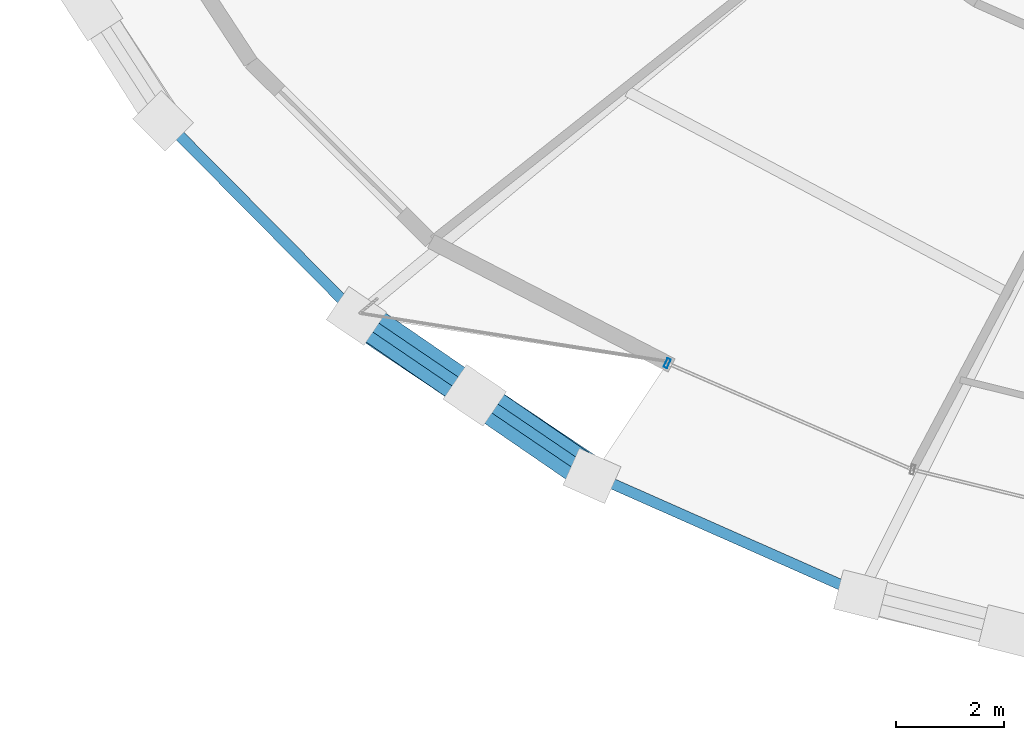
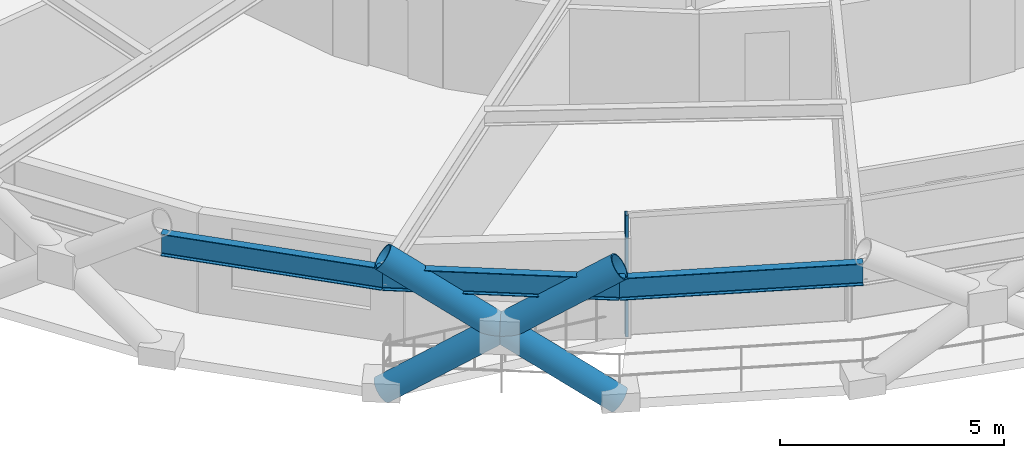
# One storey, part 1 of 23: 4 members, 3 beams, 1 element without a shape of its own.
"""IFC4 building model written with IfcOpenShell, lengths in metres."""

import ifcopenshell
import ifcopenshell.guid

model = None  # the IFC model being written
_history = None  # IfcOwnerHistory: only IFC2X3 demands one
_inside = {}  # id of a spatial element -> (the spatial element, [elements in it])
_under = {}  # id of a project, library or spatial element -> (it, [spatial elements below it])
_declared = {}  # id of a project -> (the project, [libraries it declares])
_typed = {}  # id of a type object -> (the type object, [elements of that type])
_made_of = {}  # id of a material, layer set ... -> (it, [elements and type objects made of it])


def new_model(schema):
    """Start an empty IFC model of exactly this schema.

    Asked for "IFC4X3", IfcOpenShell would pick the latest addendum, in which some entities
    have other attributes; the version numbers below select the first issue.
    IFC2X3 requires an IfcOwnerHistory on every rooted entity: one is made here for all.
    """
    global model, _history
    if schema == "IFC4X3":
        model = ifcopenshell.file(schema_version=(4, 3, 0, 0))
    else:
        model = ifcopenshell.file(schema=schema)
    _inside.clear()
    _under.clear()
    _declared.clear()
    _typed.clear()
    _made_of.clear()
    _history = None
    if model.schema == "IFC2X3":
        org = make("IfcOrganization", Name="unknown")
        user = make(
            "IfcPersonAndOrganization",
            ThePerson=make("IfcPerson", FamilyName="unknown"),
            TheOrganization=org,
        )
        app = make(
            "IfcApplication",
            ApplicationDeveloper=org,
            Version="unknown",
            ApplicationFullName="unknown",
            ApplicationIdentifier="unknown",
        )
        _history = make(
            "IfcOwnerHistory",
            OwningUser=user,
            OwningApplication=app,
            ChangeAction="ADDED",
            CreationDate=0,
        )
    return model


def make(cls, **values):
    """One entity of the class cls with the attributes given. An attribute that is None is left unset."""
    return model.create_entity(
        cls, **{name: value for name, value in values.items() if value is not None}
    )


def rooted(cls, **values):
    """An entity with a GlobalId (a new one), such as an element, a storey or a relation."""
    return make(cls, GlobalId=ifcopenshell.guid.new(), OwnerHistory=_history, **values)


def si_unit(unit_type, name, prefix=None):
    """IfcSIUnit, for example si_unit("LENGTHUNIT", "METRE", prefix="MILLI")."""
    return make("IfcSIUnit", UnitType=unit_type, Prefix=prefix, Name=name)


def assignment(units):
    """IfcUnitAssignment: the units of a project."""
    return None if units is None else make("IfcUnitAssignment", Units=units)


def point(xyz):
    """IfcCartesianPoint."""
    return None if xyz is None else make("IfcCartesianPoint", Coordinates=xyz)


def direction(xyz):
    """IfcDirection."""
    return None if xyz is None else make("IfcDirection", DirectionRatios=xyz)


def frame(location, z_axis=None, x_axis=None):
    """IfcAxis2Placement3D, a coordinate frame: its origin and axes. An axis left out is left unset."""
    return make(
        "IfcAxis2Placement3D",
        Location=point(location),
        Axis=direction(z_axis),
        RefDirection=direction(x_axis),
    )


def frame_2d(location, x_axis=None):
    """IfcAxis2Placement2D, a coordinate frame in the plane: its origin and x axis."""
    return make(
        "IfcAxis2Placement2D", Location=point(location), RefDirection=direction(x_axis)
    )


def origin():
    """The frame at (0, 0, 0) with its axes left unset."""
    return frame((0.0, 0.0, 0.0))


def origin_2d():
    """The frame at (0, 0) in the plane with its x axis left unset."""
    return frame_2d((0.0, 0.0))


def place(relative_to, where):
    """IfcLocalPlacement: puts the frame where relative to a parent placement (None: the world)."""
    return make(
        "IfcLocalPlacement", PlacementRelTo=relative_to, RelativePlacement=where
    )


def context(
    kind, dimensions, precision=None, world=None, true_north=None, identifier=None
):
    """IfcGeometricRepresentationContext, for example the 3D "Model" context."""
    return make(
        "IfcGeometricRepresentationContext",
        ContextIdentifier=identifier,
        ContextType=kind,
        CoordinateSpaceDimension=dimensions,
        Precision=precision,
        WorldCoordinateSystem=world,
        TrueNorth=true_north,
    )


def subcontext(parent, identifier, kind, view, scale=None):
    """IfcGeometricRepresentationSubContext, for example "Body" below "Model"."""
    return make(
        "IfcGeometricRepresentationSubContext",
        ContextIdentifier=identifier,
        ContextType=kind,
        ParentContext=parent,
        TargetScale=scale,
        TargetView=view,
    )


def project(units=None, contexts=None):
    """IfcProject with its units and contexts."""
    return rooted(
        "IfcProject",
        Name="project",
        RepresentationContexts=contexts,
        UnitsInContext=assignment(units),
    )


def spatial(cls, under=None, at=None, **own):
    """A site, building, storey or space (cls), placed at a placement, below another one or the project."""
    s = rooted(cls, ObjectPlacement=at, **own)
    if under is not None:
        _under.setdefault(under.id(), (under, []))[1].append(s)
    return s


def profile(cls, at=None, kind="AREA", **sizes):
    """A parametric profile (cls). Its sizes go by their IFC names, for example OverallWidth=200.0."""
    return make(cls, ProfileType=kind, Position=at, **sizes)


def hollow_rectangle(**sizes):
    """IfcRectangleHollowProfileDef."""
    return profile("IfcRectangleHollowProfileDef", **sizes)


def hollow_circle(**sizes):
    """IfcCircleHollowProfileDef."""
    return profile("IfcCircleHollowProfileDef", **sizes)


def i_section(**sizes):
    """IfcIShapeProfileDef."""
    return profile("IfcIShapeProfileDef", **sizes)


def extrude(swept, where, along, depth):
    """IfcExtrudedAreaSolid: the profile swept, set in the frame where, extruded along a direction by depth."""
    return make(
        "IfcExtrudedAreaSolid",
        SweptArea=swept,
        Position=where,
        ExtrudedDirection=direction(along),
        Depth=depth,
    )


def shape(context_of_items, identifier, shape_type, items):
    """IfcShapeRepresentation: the items that make up one representation, for example the "Body"."""
    return make(
        "IfcShapeRepresentation",
        ContextOfItems=context_of_items,
        RepresentationIdentifier=identifier,
        RepresentationType=shape_type,
        Items=items,
    )


def material(Name=None, Category=None):
    """IfcMaterial."""
    return make("IfcMaterial", Name=Name, Category=Category)


def layer(
    of_material, thickness, ventilated=None, Name=None, Category=None, Priority=None
):
    """IfcMaterialLayer: one layer of a wall or slab, of a material (None: an air gap)."""
    return make(
        "IfcMaterialLayer",
        Material=of_material,
        LayerThickness=thickness,
        IsVentilated=ventilated,
        Name=Name,
        Category=Category,
        Priority=Priority,
    )


def layer_set(layers, Name=None):
    """IfcMaterialLayerSet."""
    return make("IfcMaterialLayerSet", MaterialLayers=layers, LayerSetName=Name)


def material_profile(
    of_material, cross_section, Name=None, Category=None, Priority=None
):
    """IfcMaterialProfile: a cross section and its material."""
    return make(
        "IfcMaterialProfile",
        Name=Name,
        Material=of_material,
        Profile=cross_section,
        Priority=Priority,
        Category=Category,
    )


def profile_set(profiles, Name=None, composite=None):
    """IfcMaterialProfileSet."""
    return make(
        "IfcMaterialProfileSet",
        Name=Name,
        MaterialProfiles=profiles,
        CompositeProfile=composite,
    )


def made_of(thing, what):
    """Note that an element or type object is made of a material, layer set ...; save() writes the relation."""
    if what is not None:
        _made_of.setdefault(what.id(), (what, []))[1].append(thing)
    return thing


def type_object(cls, material=None, **own):
    """A type object (cls), such as IfcWallType, which elements share."""
    return made_of(rooted(cls, **own), material)


def element(
    cls,
    number,
    at=None,
    inside=None,
    cuts=None,
    type_object=None,
    material=None,
    context=None,
    identifier="Body",
    shape_type=None,
    held_by="IfcProductDefinitionShape",
    body=None,
    shapes=None,
    **own,
):
    """One element of the class cls, such as IfcWall. Its Tag is "e" and its number.

    at: its placement. inside: the storey or other place that contains it. cuts: it is an
    opening in that element (IfcRelVoidsElement). A single representation is given by context,
    identifier, shape_type and body (its items); several are given by shapes. held_by: the class
    of the entity that holds the representations. save() writes the other relations.
    """
    e = rooted(cls, Tag="e%d" % number, ObjectPlacement=at, **own)
    if body is not None:
        shapes = [shape(context, identifier, shape_type, body)]
    if shapes is not None:
        e.Representation = make(held_by, Representations=shapes)
    if inside is not None:
        _inside.setdefault(inside.id(), (inside, []))[1].append(e)
    if cuts is not None:
        rooted(
            "IfcRelVoidsElement", RelatingBuildingElement=cuts, RelatedOpeningElement=e
        )
    if type_object is not None:
        _typed.setdefault(type_object.id(), (type_object, []))[1].append(e)
    return made_of(e, material)


def aggregate(whole, parts):
    """IfcRelAggregates: a whole, such as a stair, and the parts it consists of."""
    return rooted("IfcRelAggregates", RelatingObject=whole, RelatedObjects=parts)


def save(model, path):
    """Write the relations noted so far, then the file.

    IfcRelAggregates (storeys below a building ...), IfcRelContainedInSpatialStructure (elements
    in a storey), IfcRelDefinesByType, IfcRelAssociatesMaterial and IfcRelDeclares: one each for
    every whole, place, type object, material and project.
    """
    for whole, parts in _under.values():
        aggregate(whole, parts)
    for where, things in _inside.values():
        rooted(
            "IfcRelContainedInSpatialStructure",
            RelatedElements=things,
            RelatingStructure=where,
        )
    for kind, things in _typed.values():
        rooted("IfcRelDefinesByType", RelatedObjects=things, RelatingType=kind)
    for what, things in _made_of.values():
        rooted("IfcRelAssociatesMaterial", RelatedObjects=things, RelatingMaterial=what)
    for by, libraries in _declared.values():
        rooted("IfcRelDeclares", RelatingContext=by, RelatedDefinitions=libraries)
    model.write(path)


model = new_model("IFC4")

# Units and contexts
model_context = context("Model", 3, precision=1e-05, world=origin(), true_north=direction((0.0, 1.0)))
body_context = subcontext(model_context, "Body", "Model", "MODEL_VIEW")
ifc_project = project(units=[si_unit("LENGTHUNIT", "METRE"), si_unit("AREAUNIT", "SQUARE_METRE"), si_unit("VOLUMEUNIT", "CUBIC_METRE"), si_unit("PLANEANGLEUNIT", "RADIAN"), si_unit("MASSUNIT", "GRAM", prefix="KILO")], contexts=[model_context])

# Site, building, storey
site_placement = place(None, origin())
site = spatial("IfcSite", under=ifc_project, at=site_placement, CompositionType="ELEMENT")
building_placement = place(site_placement, origin())
building = spatial("IfcBuilding", under=site, at=building_placement, Name="Veldorina Hangang Commons", CompositionType="ELEMENT")
storey_placement = place(building_placement, frame((0.0, 0.0, 95.199951171875)))
storey = spatial("IfcBuildingStorey", under=building, at=storey_placement, Name="L24", CompositionType="ELEMENT", Elevation=95.199951171875)

# Beams
ifc_material_1 = material(Name="Steel SM420-TMC", Category="steel")
ifc_material_profile_1 = material_profile(ifc_material_1, i_section(OverallWidth=0.199951171875, OverallDepth=0.60009765625, WebThickness=0.010986328125, FlangeThickness=0.01708984375, FilletRadius=0.01806640625, at=origin_2d()), Name="H-600x200x11x17")
ifc_profile_set_1 = profile_set([ifc_material_profile_1], Name="Steel SM420-TMC")
beam_type = type_object("IfcBeamType", Name="BM-RB600", PredefinedType="BEAM", material=ifc_profile_set_1)
beam_1_placement = place(storey_placement, frame((8.00341796875, 10.720703125, 3.0400390625), z_axis=(0.703891727572, -0.7103072827, 0.0), x_axis=(0.7103072827, 0.703891727572, 0.0)))
element("IfcBeam", 1, at=beam_1_placement, inside=storey, type_object=beam_type, Name="L24 perimeter hoop ring beam 19", PredefinedType="BEAM", context=body_context, shape_type="SweptSolid", body=[
    extrude(i_section(OverallWidth=0.199951171875, OverallDepth=0.60009765625, WebThickness=0.010986328125, FlangeThickness=0.01708984375, FilletRadius=0.01806640625, at=origin_2d()), origin(), (0.0, 0.0, 1.0), 5.099365234375),
])
beam_2_placement = place(storey_placement, frame((11.5927734375, 7.0986328125, 3.0400390625), z_axis=(0.827030394099, -0.56215720865, 0.0), x_axis=(0.56215720865, 0.827030394099, 0.0)))
element("IfcBeam", 2, at=beam_2_placement, inside=storey, type_object=beam_type, Name="L24 perimeter hoop ring beam 20", PredefinedType="BEAM", context=body_context, shape_type="SweptSolid", body=[
    extrude(i_section(OverallWidth=0.199951171875, OverallDepth=0.60009765625, WebThickness=0.010986328125, FlangeThickness=0.01708984375, FilletRadius=0.01806640625, at=origin_2d()), origin(), (0.0, 0.0, 1.0), 5.287841796875),
])
beam_3_placement = place(storey_placement, frame((15.966064453125, 4.1259765625, 3.0400390625), z_axis=(0.914417530265, -0.404772257379, 0.0), x_axis=(0.404772257379, 0.914417530265, 0.0)))
element("IfcBeam", 3, at=beam_3_placement, inside=storey, type_object=beam_type, Name="L24 perimeter hoop ring beam 21", PredefinedType="BEAM", context=body_context, shape_type="SweptSolid", body=[
    extrude(i_section(OverallWidth=0.199951171875, OverallDepth=0.60009765625, WebThickness=0.010986328125, FlangeThickness=0.01708984375, FilletRadius=0.01806640625, at=origin_2d()), origin(), (0.0, 0.0, 1.0), 5.456787109375),
])

# Curtain wall, member
ifc_material_2 = material(Name="Glass Low-E Triple IGU", Category="glass")
ifc_layer = layer(ifc_material_2, 0.179931640625)
ifc_layer_set = layer_set([ifc_layer], Name="Glass Low-E Triple IGU")
curtain_wall_type = type_object("IfcCurtainWallType", Name="CW-SYS-Z1", PredefinedType="NOTDEFINED", material=ifc_layer_set)
curtain_wall_placement = place(storey_placement, origin())
curtain_wall = element("IfcCurtainWall", 4, at=curtain_wall_placement, inside=storey, type_object=curtain_wall_type, Name="L24 unitised curtain wall CW-L24-R1", PredefinedType="NOTDEFINED")
ifc_material_3 = material(Name="Aluminium Anodized AA6063-T6", Category="aluminium")
ifc_material_profile_2 = material_profile(ifc_material_3, hollow_rectangle(XDim=0.070068359375, YDim=0.179931640625, WallThickness=0.00390625, at=origin_2d()), Name="ALU-RHS-180x70x4")
ifc_profile_set_2 = profile_set([ifc_material_profile_2], Name="Aluminium Anodized AA6063-T6")
member_type_1 = type_object("IfcMemberType", Name="CW-MUL-180", PredefinedType="MULLION", material=ifc_profile_set_2)
member_1_placement = place(storey_placement, frame((17.35009765625, 6.20458984375, 0.0), z_axis=(0.0, 0.0, 1.0), x_axis=(0.917386861558, -0.397996666117, 0.0)))
member_1 = element("IfcMember", 5, at=member_1_placement, type_object=member_type_1, Name="CW-L24-R1 vertical mullion 1", PredefinedType="MULLION", context=body_context, shape_type="SweptSolid", body=[
    extrude(hollow_rectangle(XDim=0.070068359375, YDim=0.179931640625, WallThickness=0.00390625, at=origin_2d()), origin(), (0.0, 0.0, 1.0), 3.300048828125),
])
aggregate(curtain_wall, [member_1])

# Members
ifc_material_4 = material(Name="Steel SM460-TMC", Category="steel")
ifc_material_profile_3 = material_profile(ifc_material_4, hollow_circle(Radius=0.324951171875, WallThickness=0.031982421875, at=origin_2d()), Name="CHS-650x32")
ifc_profile_set_3 = profile_set([ifc_material_profile_3], Name="Steel SM460-TMC")
member_type_2 = type_object("IfcMemberType", Name="DG-CHS650", PredefinedType="BRACE", material=ifc_profile_set_3)
member_2_placement = place(storey_placement, frame((11.572265625, 7.084228515625, 0.0), z_axis=(0.686449305906, -0.46136833798, 0.562073489083), x_axis=(0.557823026661, 0.829959921277, 0.0)))
element("IfcMember", 6, at=member_2_placement, inside=storey, type_object=member_type_2, Name="L24 continuous perimeter diagrid brace 20", PredefinedType="BRACE", context=body_context, shape_type="SweptSolid", body=[
    extrude(hollow_circle(Radius=0.324951171875, WallThickness=0.031982421875, at=origin_2d()), origin(), (0.0, 0.0, 1.0), 6.405029296875),
])
member_3_placement = place(storey_placement, frame((15.9501953125, 4.109375, 0.0), z_axis=(-0.68109030694, 0.467953775111, 0.56314763442), x_axis=(-0.566285720349, -0.824209004397, 0.0)))
element("IfcMember", 7, at=member_3_placement, inside=storey, type_object=member_type_2, Name="L24 split perimeter diagrid lower brace 21", PredefinedType="BRACE", context=body_context, shape_type="SweptSolid", body=[
    extrude(hollow_circle(Radius=0.324951171875, WallThickness=0.031982421875, at=origin_2d()), origin(), (0.0, 0.0, 1.0), 3.1982421875),
])
member_4_placement = place(storey_placement, frame((13.77197265625, 5.60595703125, 1.801025390625), z_axis=(-0.680995898124, 0.468084376165, 0.563153268239), x_axis=(-0.566446396629, -0.824098586181, 0.0)))
element("IfcMember", 8, at=member_4_placement, inside=storey, type_object=member_type_2, Name="L24 split perimeter diagrid upper brace 21", PredefinedType="BRACE", context=body_context, shape_type="SweptSolid", body=[
    extrude(hollow_circle(Radius=0.324951171875, WallThickness=0.031982421875, at=origin_2d()), origin(), (0.0, 0.0, 1.0), 3.194580078125),
])

save(model, "model.ifc")
